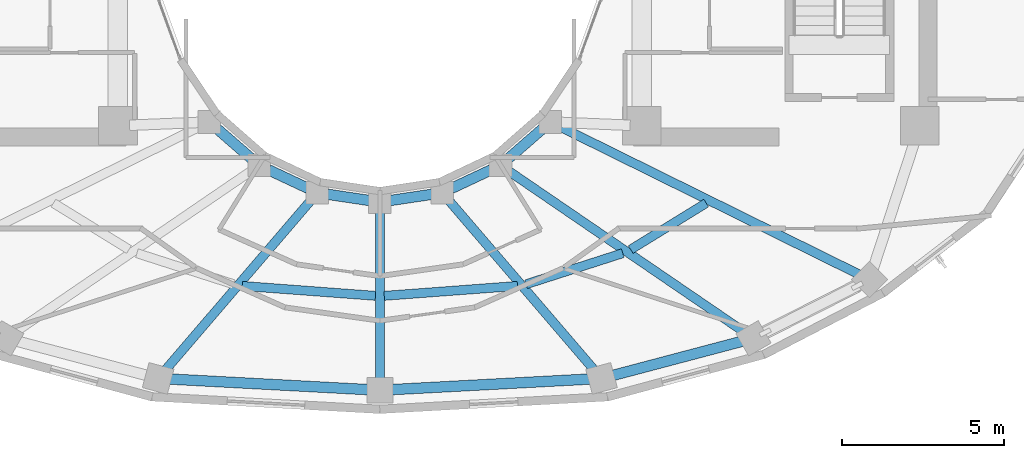
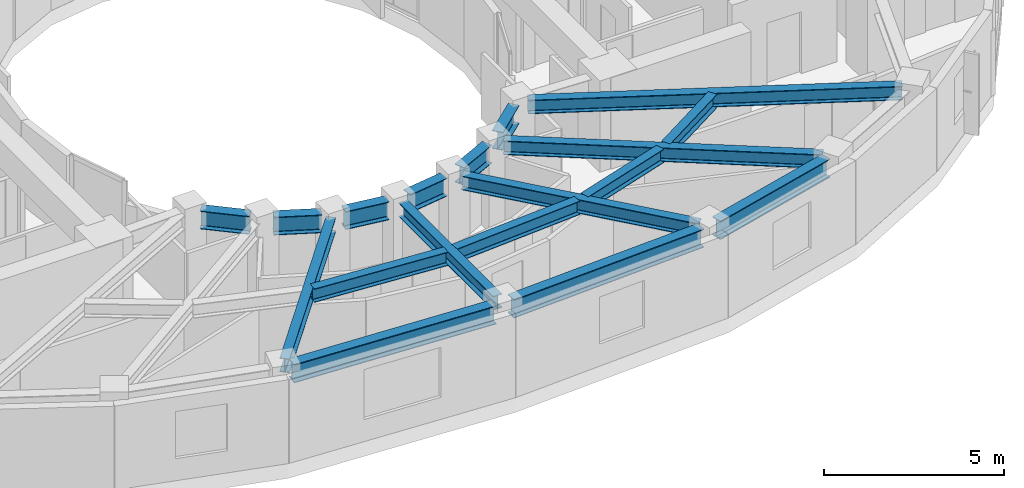
# One storey, part 3 of 19: 18 beams.
"""IFC4 building model written with IfcOpenShell, lengths in metres."""

from ifc_helpers import new_model, si_unit, direction, frame, origin, origin_2d, place, context, subcontext, project, spatial, i_section, extrude, material, material_profile, profile_set, type_object, element, save


model = new_model("IFC4")

# Units and contexts
model_context = context("Model", 3, precision=1e-05, world=origin(), true_north=direction((0.0, 1.0)))
body_context = subcontext(model_context, "Body", "Model", "MODEL_VIEW")
ifc_project = project(units=[si_unit("LENGTHUNIT", "METRE"), si_unit("AREAUNIT", "SQUARE_METRE"), si_unit("VOLUMEUNIT", "CUBIC_METRE"), si_unit("PLANEANGLEUNIT", "RADIAN"), si_unit("MASSUNIT", "GRAM", prefix="KILO")], contexts=[model_context])

# Site, building, storey
site_placement = place(None, origin())
site = spatial("IfcSite", under=ifc_project, at=site_placement, CompositionType="ELEMENT")
building_placement = place(site_placement, origin())
building = spatial("IfcBuilding", under=site, at=building_placement, Name="Solvane Sanctuary Tower", CompositionType="ELEMENT")
storey_placement = place(building_placement, frame((0.0, 0.0, 201.60009765625)))
storey = spatial("IfcBuildingStorey", under=building, at=storey_placement, Name="L61", CompositionType="ELEMENT", Elevation=201.60009765625)

# Beams
ifc_material = material(Name="Steel ASTM A992 Grade 50", Category="steel")
ifc_material_profile_1 = material_profile(ifc_material, i_section(OverallWidth=0.282958984375, OverallDepth=0.471923828125, WebThickness=0.013671875, FlangeThickness=0.022216796875, FilletRadius=0.013916015625, at=origin_2d()), Name="W18X97")
ifc_profile_set_1 = profile_set([ifc_material_profile_1], Name="Steel ASTM A992 Grade 50")
beam_type_1 = type_object("IfcBeamType", Name="Beam B-RAD-Z4 W18X97", PredefinedType="JOIST", material=ifc_profile_set_1)
beam_1_placement = place(storey_placement, frame((29.886962890625, 14.61572265625, 2.641845703125), z_axis=(-0.651023809724, -0.759057309544, 0.0), x_axis=(0.759057309544, -0.651023809724, 0.0)))
element("IfcBeam", 1, at=beam_1_placement, inside=storey, type_object=beam_type_1, Name="L61 Radial Composite Floor Beam 10", PredefinedType="JOIST", context=body_context, shape_type="SweptSolid", body=[
    extrude(i_section(OverallWidth=0.282958984375, OverallDepth=0.471923828125, WebThickness=0.013671875, FlangeThickness=0.022216796875, FilletRadius=0.013916015625, at=origin_2d()), origin(), (0.0, 0.0, 1.0), 7.005615234375),
])
beam_2_placement = place(storey_placement, frame((32.0, 14.260009765625, 2.641845703125), z_axis=(0.0, -1.0, 0.0), x_axis=(1.0, 0.0, 0.0)))
element("IfcBeam", 2, at=beam_2_placement, inside=storey, type_object=beam_type_1, Name="L61 Radial Composite Floor Beam 11", PredefinedType="JOIST", context=body_context, shape_type="SweptSolid", body=[
    extrude(i_section(OverallWidth=0.282958984375, OverallDepth=0.471923828125, WebThickness=0.013671875, FlangeThickness=0.022216796875, FilletRadius=0.013916015625, at=origin_2d()), origin(), (0.0, 0.0, 1.0), 5.260009765625),
])
beam_3_placement = place(storey_placement, frame((34.113037109375, 14.61572265625, 2.641845703125), z_axis=(0.651023809724, -0.759057309544, 0.0), x_axis=(0.759057309544, 0.651023809724, 0.0)))
element("IfcBeam", 3, at=beam_3_placement, inside=storey, type_object=beam_type_1, Name="L61 Radial Composite Floor Beam 12", PredefinedType="JOIST", context=body_context, shape_type="SweptSolid", body=[
    extrude(i_section(OverallWidth=0.282958984375, OverallDepth=0.471923828125, WebThickness=0.013671875, FlangeThickness=0.022216796875, FilletRadius=0.013916015625, at=origin_2d()), origin(), (0.0, 0.0, 1.0), 7.005615234375),
])
beam_4_placement = place(storey_placement, frame((35.961181640625, 15.515380859375, 2.641845703125), z_axis=(0.825707980649, -0.564097802418, 0.0), x_axis=(0.564097802418, 0.825707980649, 0.0)))
element("IfcBeam", 4, at=beam_4_placement, inside=storey, type_object=beam_type_1, Name="L61 Radial Composite Floor Beam 13", PredefinedType="JOIST", context=body_context, shape_type="SweptSolid", body=[
    extrude(i_section(OverallWidth=0.282958984375, OverallDepth=0.471923828125, WebThickness=0.013671875, FlangeThickness=0.022216796875, FilletRadius=0.013916015625, at=origin_2d()), origin(), (0.0, 0.0, 1.0), 8.9169921875),
])
beam_5_placement = place(storey_placement, frame((37.52587890625, 16.893798828125, 2.641845703125), z_axis=(0.896608256549, -0.442824608946, 0.0), x_axis=(0.442824608946, 0.896608256549, 0.0)))
element("IfcBeam", 5, at=beam_5_placement, inside=storey, type_object=beam_type_1, Name="L61 Radial Composite Floor Beam 14", PredefinedType="JOIST", context=body_context, shape_type="SweptSolid", body=[
    extrude(i_section(OverallWidth=0.282958984375, OverallDepth=0.471923828125, WebThickness=0.013671875, FlangeThickness=0.022216796875, FilletRadius=0.013916015625, at=origin_2d()), origin(), (0.0, 0.0, 1.0), 10.4482421875),
])
ifc_material_profile_2 = material_profile(ifc_material, i_section(OverallWidth=0.324951171875, OverallDepth=0.615966796875, WebThickness=0.013916015625, FlangeThickness=0.021484375, FilletRadius=0.01611328125, at=origin_2d()), Name="W24X117")
ifc_profile_set_2 = profile_set([ifc_material_profile_2], Name="Steel ASTM A992 Grade 50")
beam_type_2 = type_object("IfcBeamType", Name="Beam B-RING-IN2 W24X117", PredefinedType="BEAM", material=ifc_profile_set_2)
beam_6_placement = place(storey_placement, frame((26.96630859375, 16.807861328125, 2.56982421875), z_axis=(0.754388985763, -0.656427648839, 0.0), x_axis=(0.656427648839, 0.754388985763, 0.0)))
element("IfcBeam", 6, at=beam_6_placement, inside=storey, type_object=beam_type_2, Name="L61 Inner Light-Well Ring Beam IC08-IC09", PredefinedType="BEAM", context=body_context, shape_type="SweptSolid", body=[
    extrude(i_section(OverallWidth=0.324951171875, OverallDepth=0.615966796875, WebThickness=0.013916015625, FlangeThickness=0.021484375, FilletRadius=0.01611328125, at=origin_2d()), origin(), (0.0, 0.0, 1.0), 1.408203125),
])
beam_7_placement = place(storey_placement, frame((28.5595703125, 15.537353515625, 2.56982421875), z_axis=(0.905134542189, -0.425125229241, 0.0), x_axis=(0.425125229241, 0.905134542189, 0.0)))
element("IfcBeam", 7, at=beam_7_placement, inside=storey, type_object=beam_type_2, Name="L61 Inner Light-Well Ring Beam IC09-IC10", PredefinedType="BEAM", context=body_context, shape_type="SweptSolid", body=[
    extrude(i_section(OverallWidth=0.324951171875, OverallDepth=0.615966796875, WebThickness=0.013916015625, FlangeThickness=0.021484375, FilletRadius=0.01611328125, at=origin_2d()), origin(), (0.0, 0.0, 1.0), 1.347900390625),
])
for number, where, z_axis, x_axis, name in (
    (8, (30.3857421875, 14.781005859375, 2.56982421875), (0.989056121481, -0.147539786368, 0.0), (0.147539786368, 0.989056121481, 0.0), "L61 Inner Light-Well Ring Beam IC10-IC11"),
    (9, (32.31640625, 14.58740234375, 2.56982421875), (0.989056121481, 0.147539786368, 0.0), (-0.147539786368, 0.989056121481, 0.0), "L61 Inner Light-Well Ring Beam IC11-IC12"),
):
    element("IfcBeam", number, at=place(storey_placement, frame(where, z_axis=z_axis, x_axis=x_axis)), inside=storey, type_object=beam_type_2, Name=name, PredefinedType="BEAM", context=body_context, shape_type="SweptSolid", body=[
        extrude(i_section(OverallWidth=0.324951171875, OverallDepth=0.615966796875, WebThickness=0.013916015625, FlangeThickness=0.021484375, FilletRadius=0.01611328125, at=origin_2d()), origin(), (0.0, 0.0, 1.0), 1.312255859375),
    ])
beam_8_placement = place(storey_placement, frame((34.220458984375, 14.96435546875, 2.56982421875), z_axis=(0.905134542189, 0.425125229241, 0.0), x_axis=(-0.425125229241, 0.905134542189, 0.0)))
element("IfcBeam", 10, at=beam_8_placement, inside=storey, type_object=beam_type_2, Name="L61 Inner Light-Well Ring Beam IC12-IC13", PredefinedType="BEAM", context=body_context, shape_type="SweptSolid", body=[
    extrude(i_section(OverallWidth=0.324951171875, OverallDepth=0.615966796875, WebThickness=0.013916015625, FlangeThickness=0.021484375, FilletRadius=0.01611328125, at=origin_2d()), origin(), (0.0, 0.0, 1.0), 1.347900390625),
])
beam_9_placement = place(storey_placement, frame((35.971435546875, 15.883544921875, 2.56982421875), z_axis=(0.754388985763, 0.656427648839, 0.0), x_axis=(-0.656427648839, 0.754388985763, 0.0)))
element("IfcBeam", 11, at=beam_9_placement, inside=storey, type_object=beam_type_2, Name="L61 Inner Light-Well Ring Beam IC13-IC14", PredefinedType="BEAM", context=body_context, shape_type="SweptSolid", body=[
    extrude(i_section(OverallWidth=0.324951171875, OverallDepth=0.615966796875, WebThickness=0.013916015625, FlangeThickness=0.021484375, FilletRadius=0.01611328125, at=origin_2d()), origin(), (0.0, 0.0, 1.0), 1.408203125),
])
ifc_material_profile_3 = material_profile(ifc_material, i_section(OverallWidth=0.280029296875, OverallDepth=0.462890625, WebThickness=0.0107421875, FlangeThickness=0.017333984375, FilletRadius=0.013916015625, at=origin_2d()), Name="W18X76")
ifc_profile_set_3 = profile_set([ifc_material_profile_3], Name="Steel ASTM A992 Grade 50")
beam_type_3 = type_object("IfcBeamType", Name="Beam B-SEC-JOIST W18X76", PredefinedType="JOIST", material=ifc_profile_set_3)
for number, where, z_axis, x_axis, name in (
    (12, (27.74267578125, 11.947021484375, 2.646484375), (0.997239150169, -0.074256833823, 0.0), (0.074256833823, 0.997239150169, 0.0), "L61 Secondary Circumferential Joist 10-11"),
    (13, (32.135986328125, 11.64013671875, 2.646484375), (0.997239150169, 0.074256833823, 0.0), (-0.074256833823, 0.997239150169, 0.0), "L61 Secondary Circumferential Joist 11-12"),
):
    element("IfcBeam", number, at=place(storey_placement, frame(where, z_axis=z_axis, x_axis=x_axis)), inside=storey, type_object=beam_type_3, Name=name, PredefinedType="JOIST", context=body_context, shape_type="SweptSolid", body=[
        extrude(i_section(OverallWidth=0.280029296875, OverallDepth=0.462890625, WebThickness=0.0107421875, FlangeThickness=0.017333984375, FilletRadius=0.013916015625, at=origin_2d()), origin(), (0.0, 0.0, 1.0), 4.1328125),
    ])
beam_10_placement = place(storey_placement, frame((36.5234375, 11.998779296875, 2.646484375), z_axis=(0.9521021652, 0.305780095856, 0.0), x_axis=(-0.305780095856, 0.9521021652, 0.0)))
element("IfcBeam", 14, at=beam_10_placement, inside=storey, type_object=beam_type_3, Name="L61 Secondary Circumferential Joist 12-13", PredefinedType="JOIST", context=body_context, shape_type="SweptSolid", body=[
    extrude(i_section(OverallWidth=0.280029296875, OverallDepth=0.462890625, WebThickness=0.0107421875, FlangeThickness=0.017333984375, FilletRadius=0.013916015625, at=origin_2d()), origin(), (0.0, 0.0, 1.0), 3.139404296875),
])
beam_11_placement = place(storey_placement, frame((39.7587890625, 13.072021484375, 2.646484375), z_axis=(0.851639971856, 0.524127234875, 0.0), x_axis=(-0.524127234875, 0.851639971856, 0.0)))
element("IfcBeam", 15, at=beam_11_placement, inside=storey, type_object=beam_type_3, Name="L61 Secondary Circumferential Joist 13-14", PredefinedType="JOIST", context=body_context, shape_type="SweptSolid", body=[
    extrude(i_section(OverallWidth=0.280029296875, OverallDepth=0.462890625, WebThickness=0.0107421875, FlangeThickness=0.017333984375, FilletRadius=0.013916015625, at=origin_2d()), origin(), (0.0, 0.0, 1.0), 2.74169921875),
])
ifc_material_profile_4 = material_profile(ifc_material, i_section(OverallWidth=0.327880859375, OverallDepth=0.6279296875, WebThickness=0.0166015625, FlangeThickness=0.027587890625, FilletRadius=0.01611328125, at=origin_2d()), Name="W24X146")
ifc_profile_set_4 = profile_set([ifc_material_profile_4], Name="Steel ASTM A992 Grade 50")
beam_type_4 = type_object("IfcBeamType", Name="Beam B-SPAND-Z3 W24X146", PredefinedType="SPANDREL", material=ifc_profile_set_4)
for number, where, z_axis, x_axis, name in (
    (16, (25.423583984375, 9.07080078125, 2.56396484375), (0.998579926022, -0.05327411516, 0.0), (0.05327411516, 0.998579926022, 0.0), "L61 Perimeter Spandrel Beam TC10-TC11"),
    (17, (32.279541015625, 8.73486328125, 2.56396484375), (0.998579926022, 0.05327411516, 0.0), (-0.05327411516, 0.998579926022, 0.0), "L61 Perimeter Spandrel Beam TC11-TC12"),
):
    element("IfcBeam", number, at=place(storey_placement, frame(where, z_axis=z_axis, x_axis=x_axis)), inside=storey, type_object=beam_type_4, Name=name, PredefinedType="SPANDREL", context=body_context, shape_type="SweptSolid", body=[
        extrude(i_section(OverallWidth=0.327880859375, OverallDepth=0.6279296875, WebThickness=0.0166015625, FlangeThickness=0.027587890625, FilletRadius=0.01611328125, at=origin_2d()), origin(), (0.0, 0.0, 1.0), 6.305908203125),
    ])
beam_12_placement = place(storey_placement, frame((39.126708984375, 9.1572265625, 2.56396484375), z_axis=(0.966816659466, 0.255471225343, 0.0), x_axis=(-0.255471225343, 0.966816659466, 0.0)))
element("IfcBeam", 18, at=beam_12_placement, inside=storey, type_object=beam_type_4, Name="L61 Perimeter Spandrel Beam TC12-TC13", PredefinedType="SPANDREL", context=body_context, shape_type="SweptSolid", body=[
    extrude(i_section(OverallWidth=0.327880859375, OverallDepth=0.6279296875, WebThickness=0.0166015625, FlangeThickness=0.027587890625, FilletRadius=0.01611328125, at=origin_2d()), origin(), (0.0, 0.0, 1.0), 4.300537109375),
])

save(model, "model.ifc")
